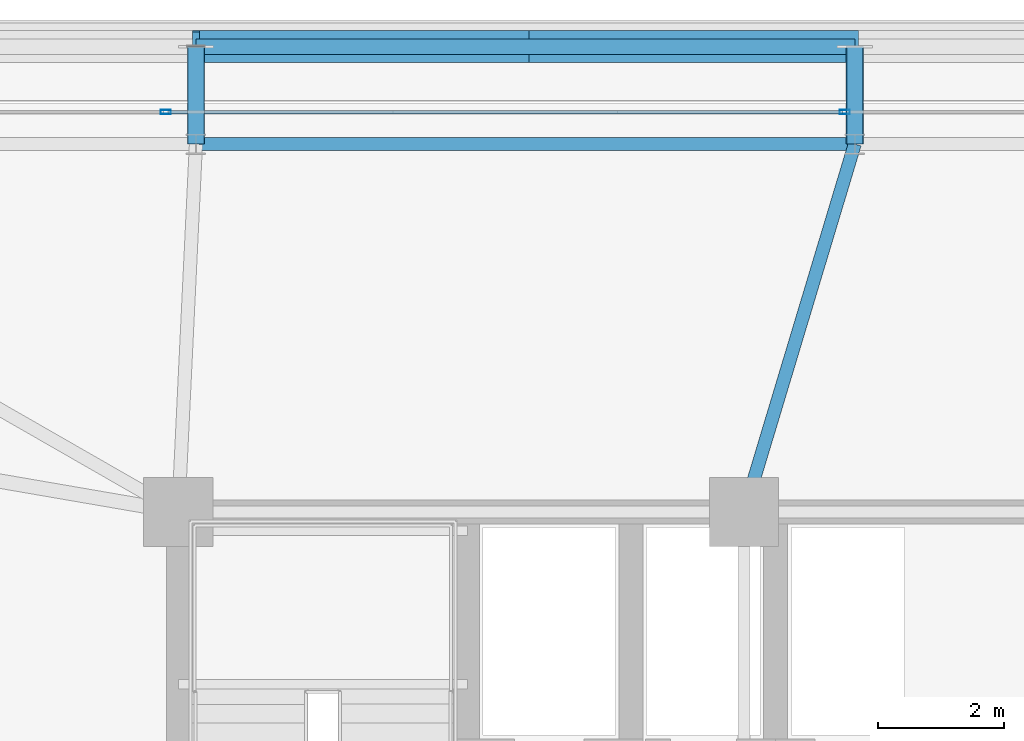
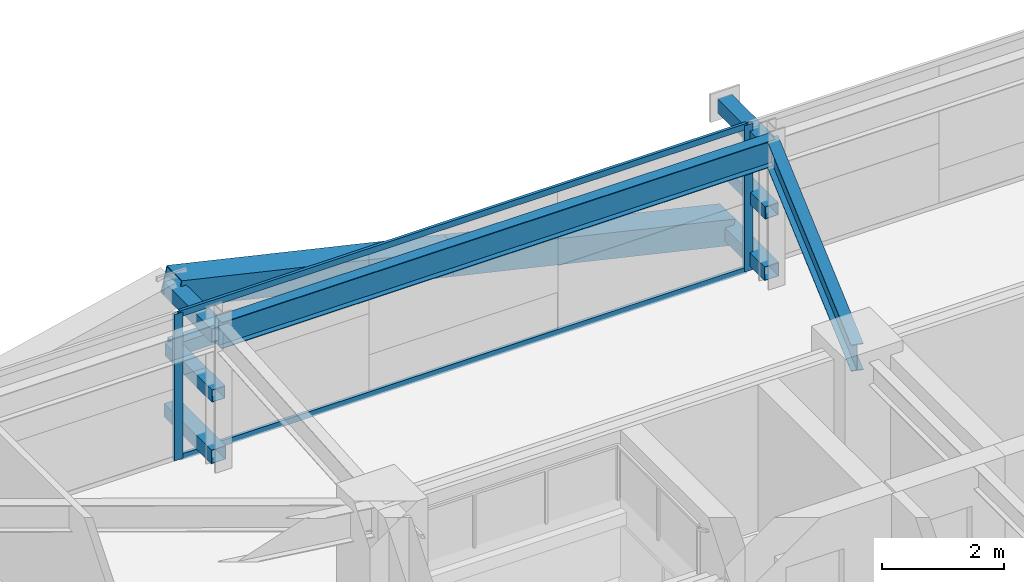
# One storey, part 27 of 56: 13 members, 2 beams, 1 element without a shape of its own.
"""IFC4 building model written with IfcOpenShell, lengths in metres."""

from ifc_helpers import new_model, si_unit, direction, frame, origin, origin_2d, place, context, subcontext, project, spatial, hollow_rectangle, i_section, extrude, source, transform, mapped, material, layer, layer_set, material_profile, profile_set, type_object, element, aggregate, save


model = new_model("IFC4")

# Units and contexts
model_context = context("Model", 3, precision=1e-05, world=origin(), true_north=direction((0.0, 1.0)))
body_context = subcontext(model_context, "Body", "Model", "MODEL_VIEW")
ifc_project = project(units=[si_unit("LENGTHUNIT", "METRE"), si_unit("AREAUNIT", "SQUARE_METRE"), si_unit("VOLUMEUNIT", "CUBIC_METRE"), si_unit("PLANEANGLEUNIT", "RADIAN"), si_unit("MASSUNIT", "GRAM", prefix="KILO")], contexts=[model_context])

# Site, building, storey
site_placement = place(None, origin())
site = spatial("IfcSite", under=ifc_project, at=site_placement, CompositionType="ELEMENT")
building_placement = place(site_placement, origin())
building = spatial("IfcBuilding", under=site, at=building_placement, Name="Taldren Reach Tower", CompositionType="ELEMENT")
storey_placement = place(building_placement, frame((0.0, 0.0, 16.800048828125)))
storey = spatial("IfcBuildingStorey", under=building, at=storey_placement, Name="L04", CompositionType="ELEMENT", Elevation=16.800048828125)

# Beams
ifc_material_1 = material(Name="Steel Gr 350 (350PLUS)", Category="steel")
ifc_material_profile_1 = material_profile(ifc_material_1, i_section(OverallWidth=0.208984375, OverallDepth=0.528076171875, WebThickness=0.009521484375, FlangeThickness=0.01318359375, at=origin_2d()), Name="530UB82.0")
ifc_profile_set_1 = profile_set([ifc_material_profile_1], Name="Steel Gr 350 (350PLUS)")
beam_type_1 = type_object("IfcBeamType", Name="SP-UB530B", PredefinedType="SPANDREL", material=ifc_profile_set_1)
shared_shape_1 = source(origin(), body_context, "Body", "SweptSolid", [
    extrude(i_section(OverallWidth=0.208984375, OverallDepth=0.528076171875, WebThickness=0.009521484375, FlangeThickness=0.01318359375, at=origin_2d()), origin(), (0.0, 0.0, 1.0), 10.47998046875),
])
beam_1_placement = place(storey_placement, frame((29.760009765625, 37.85009765625, 2.666015625), z_axis=(-1.0, 0.0, 0.0), x_axis=(0.0, -1.0, 0.0)))
element("IfcBeam", 1, at=beam_1_placement, inside=storey, type_object=beam_type_1, Name="Perimeter spandrel B1 N3-N2 L04", PredefinedType="SPANDREL", context=body_context, shape_type="MappedRepresentation", body=[
    mapped(shared_shape_1, transform((0.0, 0.0, 0.0), scale=1.0)),
])
ifc_material_profile_2 = material_profile(ifc_material_1, i_section(OverallWidth=0.208984375, OverallDepth=0.532958984375, WebThickness=0.01025390625, FlangeThickness=0.015625, at=origin_2d()), Name="530UB92.4")
ifc_profile_set_2 = profile_set([ifc_material_profile_2], Name="Steel Gr 350 (350PLUS)")
beam_type_2 = type_object("IfcBeamType", Name="BM-UB530A", PredefinedType="BEAM", material=ifc_profile_set_2)
shared_shape_2 = source(origin(), body_context, "Body", "SweptSolid", [
    extrude(i_section(OverallWidth=0.208984375, OverallDepth=0.532958984375, WebThickness=0.01025390625, FlangeThickness=0.015625, at=origin_2d()), origin(), (0.0, 0.0, 1.0), 6.109130859375),
])
beam_2_placement = place(storey_placement, frame((28.0, 32.0, 2.663330078125), z_axis=(0.288095735745, 0.957601611864, 0.0), x_axis=(-0.957601611864, 0.288095735745, 0.0)))
element("IfcBeam", 2, at=beam_2_placement, inside=storey, type_object=beam_type_2, Name="Primary floor girder B1-N3 L04", PredefinedType="BEAM", context=body_context, shape_type="MappedRepresentation", body=[
    mapped(shared_shape_2, transform((0.0, 0.0, 0.0), scale=1.0)),
])

# Members
ifc_material_2 = material(Name="Steel Gr 450 (C450L0)", Category="steel")
ifc_material_profile_3 = material_profile(ifc_material_2, hollow_rectangle(XDim=0.27490234375, YDim=0.27490234375, WallThickness=0.00927734375, at=origin_2d()), Name="275x275x9.3SHS")
ifc_profile_set_3 = profile_set([ifc_material_profile_3], Name="Steel Gr 450 (C450L0)")
member_type_1 = type_object("IfcMemberType", Name="MB-TIE273", PredefinedType="STRUT", material=ifc_profile_set_3)
shared_shape_3 = source(origin(), body_context, "Body", "SweptSolid", [
    extrude(hollow_rectangle(XDim=0.27490234375, YDim=0.27490234375, WallThickness=0.00927734375, at=origin_2d()), origin(), (0.0, 0.0, 1.0), 1.5498046875),
])
for number, where, z_axis, x_axis, name in (
    (3, (19.280029296875, 37.85009765625, 2.64990234375), (0.0, 1.0, 0.0), (-1.0, 0.0, 0.0), "Exoskeleton diaphragm tie strut B1-N2 L04"),
    (4, (19.280029296875, 37.85009765625, 0.219970703125), (0.0, 1.0, 0.0), (-1.0, 0.0, 0.0), "Exoskeleton base diaphragm tie strut B1-N2 L04"),
    (5, (29.760009765625, 37.85009765625, 2.64990234375), (0.0, 1.0, 0.0), (-1.0, 0.0, 0.0), "Exoskeleton diaphragm tie strut B1-N3 L04"),
    (6, (29.760009765625, 37.85009765625, 0.219970703125), (0.0, 1.0, 0.0), (-1.0, 0.0, 0.0), "Exoskeleton base diaphragm tie strut B1-N3 L04"),
):
    element("IfcMember", number, at=place(storey_placement, frame(where, z_axis=z_axis, x_axis=x_axis)), inside=storey, type_object=member_type_1, Name=name, PredefinedType="STRUT", context=body_context, shape_type="MappedRepresentation", body=[
        mapped(shared_shape_3, transform((0.0, 0.0, 0.0), scale=1.0)),
    ])
ifc_material_profile_4 = material_profile(ifc_material_2, hollow_rectangle(XDim=0.510009765625, YDim=0.510009765625, WallThickness=0.02001953125, at=origin_2d()), Name="510x510x20.0SHS")
ifc_profile_set_4 = profile_set([ifc_material_profile_4], Name="Steel Gr 450 (C450L0)")
member_type_2 = type_object("IfcMemberType", Name="MB-EXO508", PredefinedType="BRACE", material=ifc_profile_set_4)
shared_shape_4 = source(origin(), body_context, "Body", "SweptSolid", [
    extrude(hollow_rectangle(XDim=0.510009765625, YDim=0.510009765625, WallThickness=0.02001953125, at=origin_2d()), origin(), (0.0, 0.0, 1.0), 5.37890625),
])
for number, where, z_axis, x_axis, name in (
    (7, (29.760009765625, 39.39990234375, 0.219970703125), (-0.97415197996, 0.0, 0.225893603143), (0.0, -1.0, 0.0), "Exoskeleton Diagrid Brace B1-N2 L04"),
    (8, (24.52001953125, 39.39990234375, 1.43505859375), (-0.974161966843, 0.0, 0.225850531007), (0.0, -1.0, 0.0), "Exoskeleton Diagrid Brace B1-N2 L04"),
):
    element("IfcMember", number, at=place(storey_placement, frame(where, z_axis=z_axis, x_axis=x_axis)), inside=storey, type_object=member_type_2, Name=name, PredefinedType="BRACE", context=body_context, shape_type="MappedRepresentation", body=[
        mapped(shared_shape_4, transform((0.0, 0.0, 0.0), scale=1.0)),
    ])
ifc_material_3 = material(Name="Steel Gr 350 (C350L0)", Category="steel")
ifc_material_profile_5 = material_profile(ifc_material_3, hollow_rectangle(XDim=0.25, YDim=0.25, WallThickness=0.010009765625, at=origin_2d()), Name="250x250x10.0SHS")
ifc_profile_set_5 = profile_set([ifc_material_profile_5], Name="Steel Gr 350 (C350L0)")
member_type_3 = type_object("IfcMemberType", Name="MB-POST250", PredefinedType="POST", material=ifc_profile_set_5)
shared_shape_5 = source(origin(), body_context, "Body", "SweptSolid", [
    extrude(hollow_rectangle(XDim=0.25, YDim=0.25, WallThickness=0.010009765625, at=origin_2d()), origin(), (0.0, 0.0, 1.0), 10.47998046875),
])
member_1_placement = place(storey_placement, frame((19.280029296875, 39.39990234375, 1.43505859375), z_axis=(1.0, 0.0, 0.0), x_axis=(0.0, 1.0, 0.0)))
element("IfcMember", 9, at=member_1_placement, inside=storey, type_object=member_type_3, Name="Exoskeleton mid-height ring chord B1-N2 L04", PredefinedType="POST", context=body_context, shape_type="MappedRepresentation", body=[
    mapped(shared_shape_5, transform((0.0, 0.0, 0.0), scale=1.0)),
])
shared_shape_6 = source(origin(), body_context, "Body", "SweptSolid", [
    extrude(hollow_rectangle(XDim=0.25, YDim=0.25, WallThickness=0.010009765625, at=origin_2d()), origin(), (0.0, 0.0, 1.0), 1.5498046875),
])
for number, where, z_axis, x_axis, name in (
    (10, (19.280029296875, 37.85009765625, 1.43505859375), (0.0, 1.0, 0.0), (-1.0, 0.0, 0.0), "Exoskeleton mid-tier diaphragm tie B1-N2 L04"),
    (11, (29.760009765625, 37.85009765625, 1.43505859375), (0.0, 1.0, 0.0), (-1.0, 0.0, 0.0), "Exoskeleton mid-tier diaphragm tie B1-N3 L04"),
):
    element("IfcMember", number, at=place(storey_placement, frame(where, z_axis=z_axis, x_axis=x_axis)), inside=storey, type_object=member_type_3, Name=name, PredefinedType="POST", context=body_context, shape_type="MappedRepresentation", body=[
        mapped(shared_shape_6, transform((0.0, 0.0, 0.0), scale=1.0)),
    ])

# Curtain wall, members
ifc_material_4 = material(Name="Aluminium and Low-E Glass Unitised System", Category="aluminium")
ifc_layer = layer(ifc_material_4, 0.159912109375)
ifc_layer_set = layer_set([ifc_layer], Name="Aluminium and Low-E Glass Unitised System")
curtain_wall_type = type_object("IfcCurtainWallType", Name="CW-SYS-2", PredefinedType="NOTDEFINED", material=ifc_layer_set)
curtain_wall_placement = place(storey_placement, origin())
curtain_wall = element("IfcCurtainWall", 12, at=curtain_wall_placement, inside=storey, type_object=curtain_wall_type, Name="Unitised curtain wall CW-L04-N", PredefinedType="NOTDEFINED")
ifc_material_5 = material(Name="Anodised Aluminium 6063-T6", Category="aluminium")
ifc_material_profile_6 = material_profile(ifc_material_5, hollow_rectangle(XDim=0.06494140625, YDim=0.1650390625, WallThickness=0.00390625, at=origin_2d()), Name="ALU-165x65x4RHS")
ifc_profile_set_6 = profile_set([ifc_material_profile_6], Name="Anodised Aluminium 6063-T6")
member_type_4 = type_object("IfcMemberType", Name="CW-MUL-165", PredefinedType="MULLION", material=ifc_profile_set_6)
shared_shape_7 = source(origin(), body_context, "Body", "SweptSolid", [
    extrude(hollow_rectangle(XDim=0.06494140625, YDim=0.1650390625, WallThickness=0.00390625, at=origin_2d()), origin(), (0.0, 0.0, 1.0), 2.929931640625),
])
member_2_placement = place(storey_placement, frame((29.60009765625, 38.360107421875, 0.0), z_axis=(0.0, 0.0, 1.0), x_axis=(0.0, -1.0, 0.0)))
member_2 = element("IfcMember", 13, at=member_2_placement, type_object=member_type_4, Name="CW-2 mullion 4", PredefinedType="MULLION", context=body_context, shape_type="MappedRepresentation", body=[
    mapped(shared_shape_7, transform((0.0, 0.0, 0.0), scale=1.0)),
])
member_3_placement = place(storey_placement, frame((18.800048828125, 38.360107421875, 0.0), z_axis=(0.0, 0.0, 1.0), x_axis=(0.0, -1.0, 0.0)))
member_3 = element("IfcMember", 14, at=member_3_placement, type_object=member_type_4, Name="CW-2 mullion 5", PredefinedType="MULLION", context=body_context, shape_type="MappedRepresentation", body=[
    mapped(shared_shape_7, transform((0.0, 0.0, 0.0), scale=1.0)),
])
ifc_material_profile_7 = material_profile(ifc_material_5, hollow_rectangle(XDim=0.054931640625, YDim=0.1201171875, WallThickness=0.0029296875, at=origin_2d()), Name="ALU-120x55x3RHS")
ifc_profile_set_7 = profile_set([ifc_material_profile_7], Name="Anodised Aluminium 6063-T6")
member_type_5 = type_object("IfcMemberType", Name="CW-TRN-135", PredefinedType="USERDEFINED", material=ifc_profile_set_7)
shared_shape_8 = source(origin(), body_context, "Body", "SweptSolid", [
    extrude(hollow_rectangle(XDim=0.054931640625, YDim=0.1201171875, WallThickness=0.0029296875, at=origin_2d()), origin(), (0.0, 0.0, 1.0), 10.73486328125),
])
member_4_placement = place(storey_placement, frame((29.5673828125, 38.360107421875, 0.02734375), z_axis=(-1.0, 0.0, 0.0), x_axis=(0.0, -1.0, 0.0)))
member_4 = element("IfcMember", 15, at=member_4_placement, type_object=member_type_5, Name="CW-2 transom 4.1", ObjectType="TRANSOM", PredefinedType="USERDEFINED", context=body_context, shape_type="MappedRepresentation", body=[
    mapped(shared_shape_8, transform((0.0, 0.0, 0.0), scale=1.0)),
])
member_5_placement = place(storey_placement, frame((29.5673828125, 38.360107421875, 2.90234375), z_axis=(-1.0, 0.0, 0.0), x_axis=(0.0, -1.0, 0.0)))
member_5 = element("IfcMember", 16, at=member_5_placement, type_object=member_type_5, Name="CW-2 transom 4.2", ObjectType="TRANSOM", PredefinedType="USERDEFINED", context=body_context, shape_type="MappedRepresentation", body=[
    mapped(shared_shape_8, transform((0.0, 0.0, 0.0), scale=1.0)),
])
aggregate(curtain_wall, [member_2, member_3, member_4, member_5])

save(model, "model.ifc")
